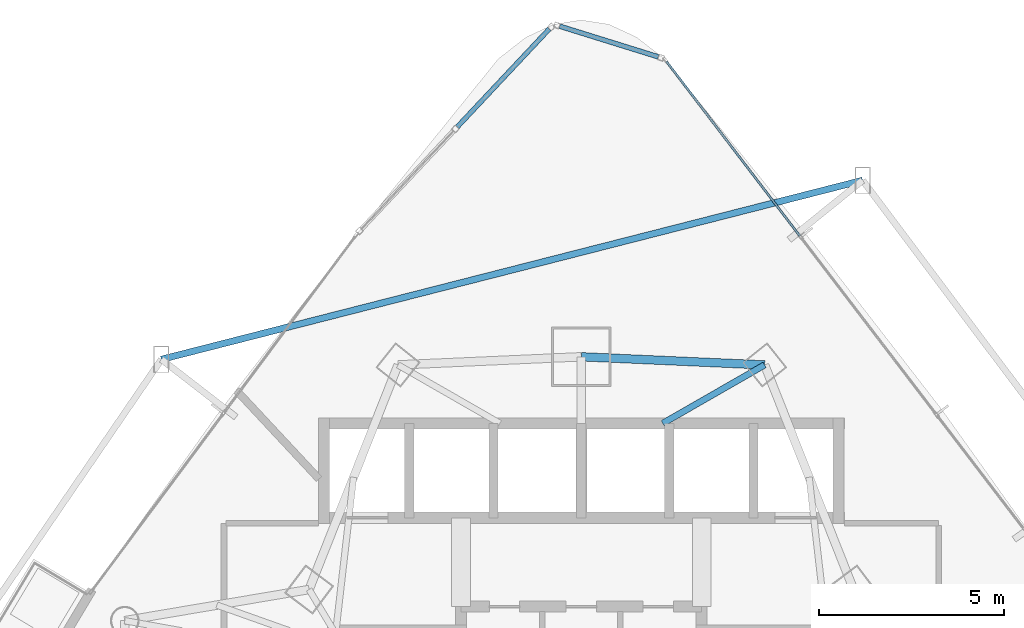
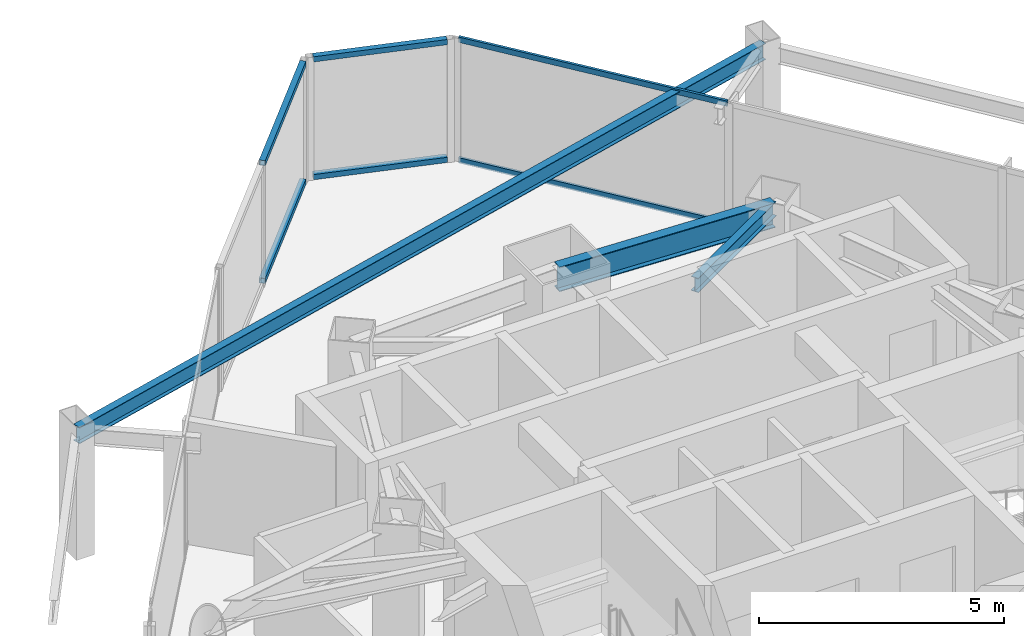
# One storey, part 22 of 33: 6 members, 3 beams, 3 elements without a shape of their own.
"""IFC4 building model written with IfcOpenShell, lengths in metres."""

from ifc_helpers import new_model, si_unit, direction, frame, origin, origin_2d, place, context, subcontext, project, spatial, hollow_rectangle, i_section, extrude, material, layer, layer_set, material_profile, profile_set, type_object, element, aggregate, save


model = new_model("IFC4")

# Units and contexts
model_context = context("Model", 3, precision=1e-05, world=origin(), true_north=direction((0.0, 1.0)))
body_context = subcontext(model_context, "Body", "Model", "MODEL_VIEW")
ifc_project = project(units=[si_unit("LENGTHUNIT", "METRE"), si_unit("AREAUNIT", "SQUARE_METRE"), si_unit("VOLUMEUNIT", "CUBIC_METRE"), si_unit("PLANEANGLEUNIT", "RADIAN"), si_unit("MASSUNIT", "GRAM", prefix="KILO")], contexts=[model_context])

# Site, building, storey
site_placement = place(None, origin())
site = spatial("IfcSite", under=ifc_project, at=site_placement, CompositionType="ELEMENT")
building_placement = place(site_placement, origin())
building = spatial("IfcBuilding", under=site, at=building_placement, Name="Orvanel Arch Residences", CompositionType="ELEMENT")
storey_placement = place(building_placement, frame((0.0, 0.0, 90.64990234375)))
storey = spatial("IfcBuildingStorey", under=building, at=storey_placement, Name="L25", CompositionType="ELEMENT", Elevation=90.64990234375)

# Beams
ifc_material_1 = material(Name="Structural steel AS/NZS 3679.1 Grade 300 (300 MPa)", Category="steel")
ifc_material_profile_1 = material_profile(ifc_material_1, i_section(OverallWidth=0.1708984375, OverallDepth=0.35595703125, WebThickness=0.00732421875, FlangeThickness=0.011474609375, at=origin_2d()), Name="360UB50.7")
ifc_profile_set_1 = profile_set([ifc_material_profile_1], Name="Structural steel AS/NZS 3679.1 Grade 300 (300 MPa)")
beam_type_1 = type_object("IfcBeamType", Name="BJ-360UB", PredefinedType="JOIST", material=ifc_profile_set_1)
beam_1_placement = place(storey_placement, frame((35.199951171875, 39.60009765625, 2.882080078125), z_axis=(0.86736513383, 0.497672306458, 0.0), x_axis=(-0.497672306458, 0.86736513383, 0.0)))
element("IfcBeam", 1, at=beam_1_placement, inside=storey, type_object=beam_type_1, Name="L25 MNE Wing Floor Joist", PredefinedType="JOIST", context=body_context, shape_type="SweptSolid", body=[
    extrude(i_section(OverallWidth=0.1708984375, OverallDepth=0.35595703125, WebThickness=0.00732421875, FlangeThickness=0.011474609375, at=origin_2d()), origin(), (0.0, 0.0, 1.0), 3.17041015625),
])
ifc_material_profile_2 = material_profile(ifc_material_1, i_section(OverallWidth=0.177978515625, OverallDepth=0.406005859375, WebThickness=0.0078125, FlangeThickness=0.0126953125, at=origin_2d()), Name="410UB59.7")
ifc_profile_set_2 = profile_set([ifc_material_profile_2], Name="Structural steel AS/NZS 3679.1 Grade 300 (300 MPa)")
beam_type_2 = type_object("IfcBeamType", Name="OB-410UB-EXT", PredefinedType="SPANDREL", material=ifc_profile_set_2)
beam_2_placement = place(storey_placement, frame((40.595947265625, 46.162109375, 2.857177734375), z_axis=(-0.96892694729, -0.247347065509, 0.0), x_axis=(0.247347065509, -0.96892694729, 0.0)))
element("IfcBeam", 2, at=beam_2_placement, inside=storey, type_object=beam_type_2, Name="L25 Outer Perimeter Floor Ring Beam 12", PredefinedType="SPANDREL", context=body_context, shape_type="SweptSolid", body=[
    extrude(i_section(OverallWidth=0.177978515625, OverallDepth=0.406005859375, WebThickness=0.0078125, FlangeThickness=0.0126953125, at=origin_2d()), origin(), (0.0, 0.0, 1.0), 19.54443359375),
])
ifc_material_profile_3 = material_profile(ifc_material_1, i_section(OverallWidth=0.22900390625, OverallDepth=0.612060546875, WebThickness=0.011962890625, FlangeThickness=0.01953125, at=origin_2d()), Name="610UB125")
ifc_profile_set_3 = profile_set([ifc_material_profile_3], Name="Structural steel AS/NZS 3679.1 Grade 300 (300 MPa)")
beam_type_3 = type_object("IfcBeamType", Name="SP-610UB", PredefinedType="SPANDREL", material=ifc_profile_set_3)
beam_3_placement = place(storey_placement, frame((37.949951171875, 41.177978515625, 2.754150390625), z_axis=(-0.999014049296, 0.044395149614, 0.0), x_axis=(-0.044395149614, -0.999014049296, 0.0)))
element("IfcBeam", 3, at=beam_3_placement, inside=storey, type_object=beam_type_3, Name="L25 Perimeter Spandrel Beam 16", PredefinedType="SPANDREL", context=body_context, shape_type="SweptSolid", body=[
    extrude(i_section(OverallWidth=0.22900390625, OverallDepth=0.612060546875, WebThickness=0.011962890625, FlangeThickness=0.01953125, at=origin_2d()), origin(), (0.0, 0.0, 1.0), 4.954833984375),
])

# Curtain wall, members
ifc_material_2 = material(Name="Bronze-anodised aluminium AA6063-T6", Category="aluminium")
ifc_layer_1 = layer(ifc_material_2, 0.18994140625)
ifc_layer_set_1 = layer_set([ifc_layer_1], Name="Bronze-anodised aluminium AA6063-T6")
curtain_wall_type_1 = type_object("IfcCurtainWallType", Name="CW5-CRN-SYS", PredefinedType="NOTDEFINED", material=ifc_layer_set_1)
curtain_wall_1_placement = place(storey_placement, origin())
curtain_wall_1 = element("IfcCurtainWall", 4, at=curtain_wall_1_placement, inside=storey, type_object=curtain_wall_type_1, Name="L25 CW5-CRN-SYS Unitised Curtain Wall", PredefinedType="NOTDEFINED")
ifc_material_profile_4 = material_profile(ifc_material_2, hollow_rectangle(XDim=0.1298828125, YDim=0.1298828125, WallThickness=0.00439453125, at=origin_2d()), Name="ALU130x130x4.5")
ifc_profile_set_4 = profile_set([ifc_material_profile_4], Name="Bronze-anodised aluminium AA6063-T6")
member_type_1 = type_object("IfcMemberType", Name="TRN-130x130", PredefinedType="USERDEFINED", material=ifc_profile_set_4)
member_1_placement = place(storey_placement, frame((35.079833984375, 49.49658203125, 0.065185546875), z_axis=(-0.954899217261, 0.296930100989, 0.0), x_axis=(-0.296930100989, -0.954899217261, 0.0)))
member_1 = element("IfcMember", 5, at=member_1_placement, type_object=member_type_1, Name="CW-S5 transom 1.1", ObjectType="TRANSOM", PredefinedType="USERDEFINED", context=body_context, shape_type="SweptSolid", body=[
    extrude(hollow_rectangle(XDim=0.1298828125, YDim=0.1298828125, WallThickness=0.00439453125, at=origin_2d()), origin(), (0.0, 0.0, 1.0), 2.79150390625),
])
member_2_placement = place(storey_placement, frame((35.079833984375, 49.49658203125, 2.9951171875), z_axis=(-0.954899217261, 0.296930100989, 0.0), x_axis=(-0.296930100989, -0.954899217261, 0.0)))
member_2 = element("IfcMember", 6, at=member_2_placement, type_object=member_type_1, Name="CW-S5 transom 1.2", ObjectType="TRANSOM", PredefinedType="USERDEFINED", context=body_context, shape_type="SweptSolid", body=[
    extrude(hollow_rectangle(XDim=0.1298828125, YDim=0.1298828125, WallThickness=0.00439453125, at=origin_2d()), origin(), (0.0, 0.0, 1.0), 2.79150390625),
])
aggregate(curtain_wall_1, [member_1, member_2])

curtain_wall_2_placement = place(storey_placement, origin())
curtain_wall_2 = element("IfcCurtainWall", 7, at=curtain_wall_2_placement, inside=storey, type_object=curtain_wall_type_1, Name="L25 CW5-CRN-SYS Unitised Curtain Wall", PredefinedType="NOTDEFINED")
member_3_placement = place(storey_placement, frame((32.13525390625, 50.251708984375, 0.065185546875), z_axis=(-0.684647329409, -0.728874498342, 0.0), x_axis=(0.728874498342, -0.684647329409, 0.0)))
member_3 = element("IfcMember", 8, at=member_3_placement, type_object=member_type_1, Name="CW-S5 transom 1.1", ObjectType="TRANSOM", PredefinedType="USERDEFINED", context=body_context, shape_type="SweptSolid", body=[
    extrude(hollow_rectangle(XDim=0.1298828125, YDim=0.1298828125, WallThickness=0.00439453125, at=origin_2d()), origin(), (0.0, 0.0, 1.0), 3.63232421875),
])
member_4_placement = place(storey_placement, frame((32.13525390625, 50.251708984375, 2.9951171875), z_axis=(-0.684647329409, -0.728874498342, 0.0), x_axis=(0.728874498342, -0.684647329409, 0.0)))
member_4 = element("IfcMember", 9, at=member_4_placement, type_object=member_type_1, Name="CW-S5 transom 1.2", ObjectType="TRANSOM", PredefinedType="USERDEFINED", context=body_context, shape_type="SweptSolid", body=[
    extrude(hollow_rectangle(XDim=0.1298828125, YDim=0.1298828125, WallThickness=0.00439453125, at=origin_2d()), origin(), (0.0, 0.0, 1.0), 3.63232421875),
])
aggregate(curtain_wall_2, [member_3, member_4])

ifc_layer_2 = layer(ifc_material_2, 0.179931640625)
ifc_layer_set_2 = layer_set([ifc_layer_2], Name="Bronze-anodised aluminium AA6063-T6")
curtain_wall_type_2 = type_object("IfcCurtainWallType", Name="CW2-LOW-SYS", PredefinedType="NOTDEFINED", material=ifc_layer_set_2)
curtain_wall_3_placement = place(storey_placement, origin())
curtain_wall_3 = element("IfcCurtainWall", 10, at=curtain_wall_3_placement, inside=storey, type_object=curtain_wall_type_2, Name="L25 CW2-LOW-SYS Unitised Curtain Wall", PredefinedType="NOTDEFINED")
ifc_material_profile_5 = material_profile(ifc_material_2, hollow_rectangle(XDim=0.06005859375, YDim=0.135009765625, WallThickness=0.00390625, at=origin_2d()), Name="ALU135x60x4")
ifc_profile_set_5 = profile_set([ifc_material_profile_5], Name="Bronze-anodised aluminium AA6063-T6")
member_type_2 = type_object("IfcMemberType", Name="TRN-135x60", PredefinedType="USERDEFINED", material=ifc_profile_set_5)
member_5_placement = place(storey_placement, frame((38.899658203125, 44.6611328125, 0.030029296875), z_axis=(-0.607329428327, 0.794450102579, 0.0), x_axis=(-0.794450102579, -0.607329428327, 0.0)))
member_5 = element("IfcMember", 11, at=member_5_placement, type_object=member_type_2, Name="CW-S2 transom 3.1", ObjectType="TRANSOM", PredefinedType="USERDEFINED", context=body_context, shape_type="SweptSolid", body=[
    extrude(hollow_rectangle(XDim=0.06005859375, YDim=0.135009765625, WallThickness=0.00390625, at=origin_2d()), origin(), (0.0, 0.0, 1.0), 5.9326171875),
])
member_6_placement = place(storey_placement, frame((38.899658203125, 44.6611328125, 3.030029296875), z_axis=(-0.607329428327, 0.794450102579, 0.0), x_axis=(-0.794450102579, -0.607329428327, 0.0)))
member_6 = element("IfcMember", 12, at=member_6_placement, type_object=member_type_2, Name="CW-S2 transom 3.2", ObjectType="TRANSOM", PredefinedType="USERDEFINED", context=body_context, shape_type="SweptSolid", body=[
    extrude(hollow_rectangle(XDim=0.06005859375, YDim=0.135009765625, WallThickness=0.00390625, at=origin_2d()), origin(), (0.0, 0.0, 1.0), 5.9326171875),
])
aggregate(curtain_wall_3, [member_5, member_6])

save(model, "model.ifc")
